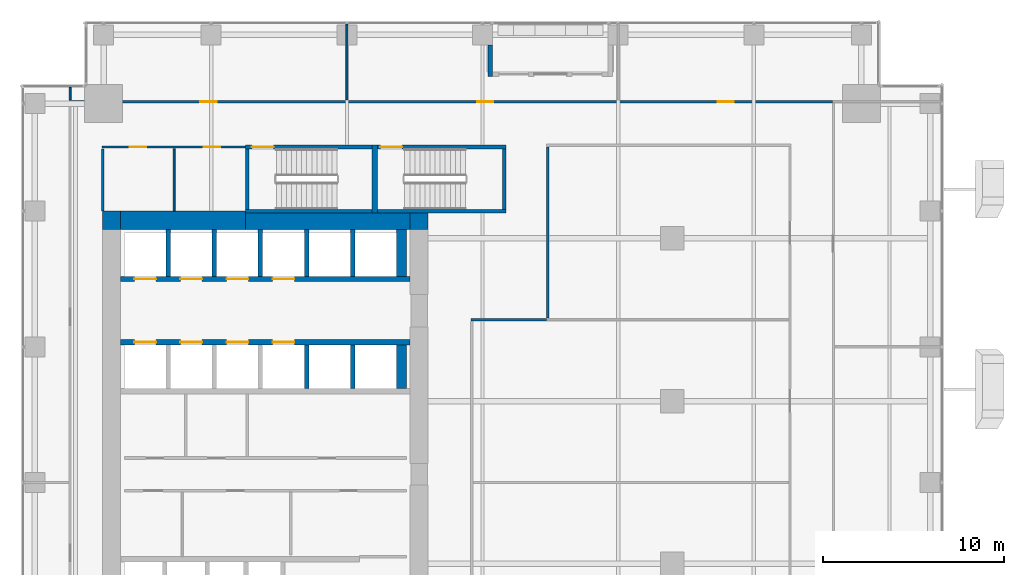
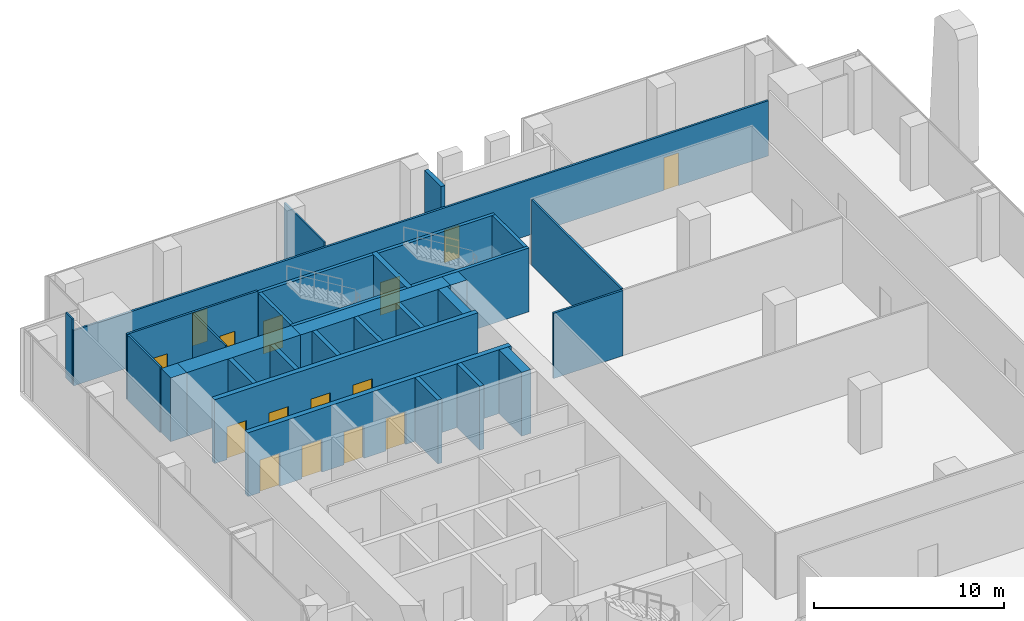
# One storey, part 30 of 35: 31 walls, 15 doors, 15 openings.
"""IFC4 building model written with IfcOpenShell, lengths in metres."""

from ifc_helpers import new_model, si_unit, direction, frame, frame_2d, origin, place, context, subcontext, project, spatial, rectangle, extrude, source, transform, mapped, material, layer, layer_set, type_object, element, fill, save


model = new_model("IFC4")

# Units and contexts
model_context = context("Model", 3, precision=1e-05, world=origin(), true_north=direction((0.0, 1.0)))
body_context = subcontext(model_context, "Body", "Model", "MODEL_VIEW")
ifc_project = project(units=[si_unit("LENGTHUNIT", "METRE"), si_unit("AREAUNIT", "SQUARE_METRE"), si_unit("VOLUMEUNIT", "CUBIC_METRE"), si_unit("PLANEANGLEUNIT", "RADIAN"), si_unit("MASSUNIT", "GRAM", prefix="KILO")], contexts=[model_context])

# Site, building, storey
site_placement = place(None, origin())
site = spatial("IfcSite", under=ifc_project, at=site_placement, CompositionType="ELEMENT")
building_placement = place(site_placement, origin())
building = spatial("IfcBuilding", under=site, at=building_placement, Name="Khomas Fold Tower", CompositionType="ELEMENT")
storey_placement = place(building_placement, frame((0.0, 0.0, 119.10009765625)))
storey = spatial("IfcBuildingStorey", under=building, at=storey_placement, Name="L25", CompositionType="ELEMENT", Elevation=119.10009765625)

# Walls
ifc_material_1 = material(Name="Concrete C70/85", Category="concrete")
ifc_layer_1 = layer(ifc_material_1, 1.0)
ifc_layer_set_1 = layer_set([ifc_layer_1], Name="Concrete C70/85")
wall_type_1 = type_object("IfcWallType", Name="Core wall 1000", PredefinedType="SHEAR", material=ifc_layer_set_1)
shared_shape_1 = source(origin(), body_context, "Body", "SweptSolid", [
    extrude(rectangle(XDim=6.89990234375, YDim=1.0, at=frame_2d((3.449951171875, 0.0))), origin(), (0.0, 0.0, 1.0), 4.099853515625),
])
wall_1_placement = place(storey_placement, frame((7.0, 41.5, 0.0), z_axis=(0.0, 0.0, 1.0), x_axis=(1.0, 0.0, 0.0)))
element("IfcWall", 1, at=wall_1_placement, inside=storey, type_object=wall_type_1, Name="Core wall CW-L-N-L21", PredefinedType="SHEAR", context=body_context, shape_type="MappedRepresentation", body=[
    mapped(shared_shape_1, transform((0.0, 0.0, 0.0))),
])
ifc_material_2 = material(Name="Concrete C70/85", Category="concrete")
ifc_layer_2 = layer(ifc_material_2, 0.89990234375)
ifc_layer_set_2 = layer_set([ifc_layer_2], Name="Concrete C70/85")
wall_type_2 = type_object("IfcWallType", Name="Core wall 900", PredefinedType="SHEAR", material=ifc_layer_set_2)
shared_shape_2 = source(origin(), body_context, "Body", "SweptSolid", [
    extrude(rectangle(XDim=9.10009765625, YDim=0.89990234375, at=frame_2d((4.550048828125, 0.0))), origin(), (0.0, 0.0, 1.0), 4.099853515625),
])
wall_2_placement = place(storey_placement, frame((13.89990234375, 41.449951171875, 0.0), z_axis=(0.0, 0.0, 1.0), x_axis=(1.0, 0.0, 0.0)))
element("IfcWall", 2, at=wall_2_placement, inside=storey, type_object=wall_type_2, Name="Core wall CW-L-N-L21-1", PredefinedType="SHEAR", context=body_context, shape_type="MappedRepresentation", body=[
    mapped(shared_shape_2, transform((0.0, 0.0, 0.0))),
])
ifc_material_3 = material(Name="Concrete C70/85", Category="concrete")
ifc_layer_3 = layer(ifc_material_3, 0.89990234375)
ifc_layer_set_3 = layer_set([ifc_layer_3], Name="Concrete C70/85")
wall_type_3 = type_object("IfcWallType", Name="Core corner wall 900", PredefinedType="SHEAR", material=ifc_layer_set_3)
shared_shape_3 = source(origin(), body_context, "Body", "SweptSolid", [
    extrude(rectangle(XDim=1.0, YDim=0.89990234375, at=frame_2d((0.5, 0.0))), origin(), (0.0, 0.0, 1.0), 4.099853515625),
])
wall_3_placement = place(storey_placement, frame((23.0, 41.449951171875, 0.0), z_axis=(0.0, 0.0, 1.0), x_axis=(1.0, 0.0, 0.0)))
element("IfcWall", 3, at=wall_3_placement, inside=storey, type_object=wall_type_3, Name="Core wall CW-L-NE-L21", PredefinedType="SHEAR", context=body_context, shape_type="MappedRepresentation", body=[
    mapped(shared_shape_3, transform((0.0, 0.0, 0.0))),
])
ifc_material_4 = material(Name="Concrete C70/85", Category="concrete")
ifc_layer_4 = layer(ifc_material_4, 1.0)
ifc_layer_set_4 = layer_set([ifc_layer_4], Name="Concrete C70/85")
wall_type_4 = type_object("IfcWallType", Name="Core corner wall 1000", PredefinedType="SHEAR", material=ifc_layer_set_4)
shared_shape_4 = source(origin(), body_context, "Body", "SweptSolid", [
    extrude(rectangle(XDim=1.0, YDim=1.0, at=frame_2d((0.5, 0.0))), origin(), (0.0, 0.0, 1.0), 4.099853515625),
])
wall_4_placement = place(storey_placement, frame((6.0, 41.5, 0.0), z_axis=(0.0, 0.0, 1.0), x_axis=(1.0, 0.0, 0.0)))
element("IfcWall", 4, at=wall_4_placement, inside=storey, type_object=wall_type_4, Name="Core wall CW-L-NW-L21", PredefinedType="SHEAR", context=body_context, shape_type="MappedRepresentation", body=[
    mapped(shared_shape_4, transform((0.0, 0.0, 0.0))),
])

# Wall, opening, door
ifc_material_5 = material(Name="Concrete C50/60", Category="concrete")
ifc_layer_5 = layer(ifc_material_5, 0.199951171875)
ifc_layer_set_5 = layer_set([ifc_layer_5], Name="Concrete C50/60")
wall_type_5 = type_object("IfcWallType", Name="Stair wall 200", PredefinedType="SHEAR", material=ifc_layer_set_5)
shared_shape_5 = source(origin(), body_context, "Body", "SweptSolid", [
    extrude(rectangle(XDim=7.0, YDim=0.199951171875, at=frame_2d((3.5, 0.0))), origin(), (0.0, 0.0, 1.0), 4.099853515625),
])
wall_5_placement = place(storey_placement, frame((13.89990234375, 45.550048828125, 0.0), z_axis=(0.0, 0.0, 1.0), x_axis=(1.0, 0.0, 0.0)))
wall_5 = element("IfcWall", 5, at=wall_5_placement, inside=storey, type_object=wall_type_5, Name="Stair wall SW-ST1-N", PredefinedType="SHEAR", context=body_context, shape_type="MappedRepresentation", body=[
    mapped(shared_shape_5, transform((0.0, 0.0, 0.0))),
])
shared_shape_6 = source(origin(), body_context, "Body", "SweptSolid", [
    extrude(rectangle(XDim=1.199951171875, YDim=2.10009765625, at=frame_2d((0.60009765625, 1.050048828125))), frame((0.0, 0.10986328125, 0.0), z_axis=(0.0, -1.0, 0.0), x_axis=(1.0, 0.0, 0.0)), (0.0, 0.0, 1.0), 0.219970703125),
])
opening_1_placement = place(wall_5_placement, frame((0.35009765625, 0.0, 0.0)))
opening_1 = element("IfcOpeningElement", 6, at=opening_1_placement, cuts=wall_5, Name="Opening SD-ST1", PredefinedType="OPENING", context=body_context, shape_type="MappedRepresentation", body=[
    mapped(shared_shape_6, transform((0.0, 0.0, 0.0))),
])
ifc_material_6 = material(Name="Steel door leaf", Category="steel")
door_type_1 = type_object("IfcDoorType", Name="Stair door 1200x2100 left-hand", OperationType="SINGLE_SWING_LEFT", PredefinedType="DOOR", material=ifc_material_6)
shared_shape_7 = source(origin(), body_context, "Body", "SweptSolid", [
    extrude(rectangle(XDim=1.199951171875, YDim=2.10009765625, at=frame_2d((0.60009765625, 1.050048828125))), frame((0.0, 0.02490234375, 0.0), z_axis=(0.0, -1.0, 0.0), x_axis=(1.0, 0.0, 0.0)), (0.0, 0.0, 1.0), 0.050048828125),
])
door_1_placement = place(opening_1_placement, origin())
door_1 = element("IfcDoor", 7, at=door_1_placement, inside=storey, type_object=door_type_1, Name="Stair door", OperationType="SINGLE_SWING_LEFT", OverallHeight=2.10009765625, OverallWidth=1.199951171875, PredefinedType="DOOR", context=body_context, shape_type="MappedRepresentation", body=[
    mapped(shared_shape_7, transform((0.0, 0.0, 0.0))),
])
fill(opening_1, door_1)

# Wall
wall_6_placement = place(storey_placement, frame((13.89990234375, 42.0, 0.0), z_axis=(0.0, 0.0, 1.0), x_axis=(1.0, 0.0, 0.0)))
element("IfcWall", 8, at=wall_6_placement, inside=storey, type_object=wall_type_5, Name="Stair wall SW-ST1-S", PredefinedType="SHEAR", context=body_context, shape_type="MappedRepresentation", body=[
    mapped(shared_shape_5, transform((0.0, 0.0, 0.0))),
])

# Wall, opening, door
shared_shape_8 = source(origin(), body_context, "Body", "SweptSolid", [
    extrude(rectangle(XDim=7.10009765625, YDim=0.199951171875, at=frame_2d((3.550048828125, 0.0))), origin(), (0.0, 0.0, 1.0), 4.099853515625),
])
wall_7_placement = place(storey_placement, frame((21.199951171875, 45.550048828125, 0.0), z_axis=(0.0, 0.0, 1.0), x_axis=(1.0, 0.0, 0.0)))
wall_7 = element("IfcWall", 9, at=wall_7_placement, inside=storey, type_object=wall_type_5, Name="Stair wall SW-ST3-N", PredefinedType="SHEAR", context=body_context, shape_type="MappedRepresentation", body=[
    mapped(shared_shape_8, transform((0.0, 0.0, 0.0))),
])
opening_2_placement = place(wall_7_placement, frame((0.14990234375, 0.0, 0.0)))
opening_2 = element("IfcOpeningElement", 10, at=opening_2_placement, cuts=wall_7, Name="Opening SD-ST3", PredefinedType="OPENING", context=body_context, shape_type="MappedRepresentation", body=[
    mapped(shared_shape_6, transform((0.0, 0.0, 0.0))),
])
door_2_placement = place(opening_2_placement, origin())
door_2 = element("IfcDoor", 11, at=door_2_placement, inside=storey, type_object=door_type_1, Name="Stair door", OperationType="SINGLE_SWING_LEFT", OverallHeight=2.10009765625, OverallWidth=1.199951171875, PredefinedType="DOOR", context=body_context, shape_type="MappedRepresentation", body=[
    mapped(shared_shape_7, transform((0.0, 0.0, 0.0))),
])
fill(opening_2, door_2)

# Walls
wall_8_placement = place(storey_placement, frame((21.199951171875, 42.0, 0.0), z_axis=(0.0, 0.0, 1.0), x_axis=(1.0, 0.0, 0.0)))
element("IfcWall", 12, at=wall_8_placement, inside=storey, type_object=wall_type_5, Name="Stair wall SW-ST3-S", PredefinedType="SHEAR", context=body_context, shape_type="MappedRepresentation", body=[
    mapped(shared_shape_8, transform((0.0, 0.0, 0.0))),
])
ifc_material_7 = material(Name="Concrete C50/60", Category="concrete")
ifc_layer_6 = layer(ifc_material_7, 0.300048828125)
ifc_layer_set_6 = layer_set([ifc_layer_6], Name="Concrete C50/60")
wall_type_6 = type_object("IfcWallType", Name="Stair wall 300", PredefinedType="SHEAR", material=ifc_layer_set_6)
shared_shape_9 = source(origin(), body_context, "Body", "SweptSolid", [
    extrude(rectangle(XDim=3.75, YDim=0.300048828125, at=frame_2d((1.875, 0.0))), origin(), (0.0, 0.0, 1.0), 4.099853515625),
])
wall_9_placement = place(storey_placement, frame((21.050048828125, 41.89990234375, 0.0), z_axis=(0.0, 0.0, 1.0), x_axis=(0.0, 1.0, 0.0)))
element("IfcWall", 13, at=wall_9_placement, inside=storey, type_object=wall_type_6, Name="Stair wall SW-ST1-E", PredefinedType="SHEAR", context=body_context, shape_type="MappedRepresentation", body=[
    mapped(shared_shape_9, transform((0.0, 0.0, 0.0))),
])
shared_shape_10 = source(origin(), body_context, "Body", "SweptSolid", [
    extrude(rectangle(XDim=3.349853515625, YDim=0.199951171875, at=frame_2d((1.6748046875, 0.0))), origin(), (0.0, 0.0, 1.0), 4.099853515625),
])
for number, where, z_axis, x_axis, name in (
    (14, (14.0, 42.10009765625, 0.0), (0.0, 0.0, 1.0), (0.0, 1.0, 0.0), "Stair wall SW-ST1-W"),
    (15, (28.199951171875, 42.10009765625, 0.0), (0.0, 0.0, 1.0), (0.0, 1.0, 0.0), "Stair wall SW-ST3-E"),
):
    element("IfcWall", number, at=place(storey_placement, frame(where, z_axis=z_axis, x_axis=x_axis)), inside=storey, type_object=wall_type_5, Name=name, PredefinedType="SHEAR", context=body_context, shape_type="MappedRepresentation", body=[
        mapped(shared_shape_10, transform((0.0, 0.0, 0.0))),
    ])

# Wall, openings, doors
ifc_material_8 = material(Name="Concrete C50/60", Category="concrete")
ifc_layer_7 = layer(ifc_material_8, 0.300048828125)
ifc_layer_set_7 = layer_set([ifc_layer_7], Name="Concrete C50/60")
wall_type_7 = type_object("IfcWallType", Name="Shaft wall 300", PredefinedType="STANDARD", material=ifc_layer_set_7)
shared_shape_11 = source(origin(), body_context, "Body", "SweptSolid", [
    extrude(rectangle(XDim=16.0, YDim=0.300048828125, at=frame_2d((8.0, 0.0))), origin(), (0.0, 0.0, 1.0), 4.099853515625),
])
wall_10_placement = place(storey_placement, frame((7.0, 38.25, 0.0), z_axis=(0.0, 0.0, 1.0), x_axis=(1.0, 0.0, 0.0)))
wall_10 = element("IfcWall", 16, at=wall_10_placement, inside=storey, type_object=wall_type_7, Name="Core wall SW-LRN-F", PredefinedType="STANDARD", context=body_context, shape_type="MappedRepresentation", body=[
    mapped(shared_shape_11, transform((0.0, 0.0, 0.0))),
])
shared_shape_12 = source(origin(), body_context, "Body", "SweptSolid", [
    extrude(rectangle(XDim=1.199951171875, YDim=2.10009765625, at=frame_2d((0.60009765625, 1.050048828125))), frame((0.0, 0.159912109375, 0.0), z_axis=(0.0, -1.0, 0.0), x_axis=(1.0, 0.0, 0.0)), (0.0, 0.0, 1.0), 0.320068359375),
])
opening_3_placement = place(wall_10_placement, frame((0.75, 0.0, 0.0)))
opening_3 = element("IfcOpeningElement", 17, at=opening_3_placement, cuts=wall_10, Name="Opening LD-LR5", PredefinedType="OPENING", context=body_context, shape_type="MappedRepresentation", body=[
    mapped(shared_shape_12, transform((0.0, 0.0, 0.0))),
])
opening_4_placement = place(wall_10_placement, frame((3.300048828125, 0.0, 0.0)))
opening_4 = element("IfcOpeningElement", 18, at=opening_4_placement, cuts=wall_10, Name="Opening LD-LR6", PredefinedType="OPENING", context=body_context, shape_type="MappedRepresentation", body=[
    mapped(shared_shape_12, transform((0.0, 0.0, 0.0))),
])
opening_5_placement = place(wall_10_placement, frame((5.85009765625, 0.0, 0.0)))
opening_5 = element("IfcOpeningElement", 19, at=opening_5_placement, cuts=wall_10, Name="Opening LD-LR7", PredefinedType="OPENING", context=body_context, shape_type="MappedRepresentation", body=[
    mapped(shared_shape_12, transform((0.0, 0.0, 0.0))),
])
opening_6_placement = place(wall_10_placement, frame((8.39990234375, 0.0, 0.0)))
opening_6 = element("IfcOpeningElement", 20, at=opening_6_placement, cuts=wall_10, Name="Opening LD-LR8", PredefinedType="OPENING", context=body_context, shape_type="MappedRepresentation", body=[
    mapped(shared_shape_12, transform((0.0, 0.0, 0.0))),
])
ifc_material_9 = material(Name="Steel door leaf", Category="steel")
door_type_2 = type_object("IfcDoorType", Name="Landing door 1200x2100", OperationType="DOUBLE_DOOR_SLIDING", PredefinedType="DOOR", material=ifc_material_9)
door_3_placement = place(opening_3_placement, origin())
door_3 = element("IfcDoor", 21, at=door_3_placement, inside=storey, type_object=door_type_2, Name="Lift landing door", OperationType="DOUBLE_DOOR_SLIDING", OverallHeight=2.10009765625, OverallWidth=1.199951171875, PredefinedType="DOOR", context=body_context, shape_type="MappedRepresentation", body=[
    mapped(shared_shape_7, transform((0.0, 0.0, 0.0))),
])
fill(opening_3, door_3)
door_4_placement = place(opening_4_placement, origin())
door_4 = element("IfcDoor", 22, at=door_4_placement, inside=storey, type_object=door_type_2, Name="Lift landing door", OperationType="DOUBLE_DOOR_SLIDING", OverallHeight=2.10009765625, OverallWidth=1.199951171875, PredefinedType="DOOR", context=body_context, shape_type="MappedRepresentation", body=[
    mapped(shared_shape_7, transform((0.0, 0.0, 0.0))),
])
fill(opening_4, door_4)
door_5_placement = place(opening_5_placement, origin())
door_5 = element("IfcDoor", 23, at=door_5_placement, inside=storey, type_object=door_type_2, Name="Lift landing door", OperationType="DOUBLE_DOOR_SLIDING", OverallHeight=2.10009765625, OverallWidth=1.199951171875, PredefinedType="DOOR", context=body_context, shape_type="MappedRepresentation", body=[
    mapped(shared_shape_7, transform((0.0, 0.0, 0.0))),
])
fill(opening_5, door_5)
door_6_placement = place(opening_6_placement, origin())
door_6 = element("IfcDoor", 24, at=door_6_placement, inside=storey, type_object=door_type_2, Name="Lift landing door", OperationType="DOUBLE_DOOR_SLIDING", OverallHeight=2.10009765625, OverallWidth=1.199951171875, PredefinedType="DOOR", context=body_context, shape_type="MappedRepresentation", body=[
    mapped(shared_shape_7, transform((0.0, 0.0, 0.0))),
])
fill(opening_6, door_6)

wall_11_placement = place(storey_placement, frame((7.0, 34.75, 0.0), z_axis=(0.0, 0.0, 1.0), x_axis=(1.0, 0.0, 0.0)))
wall_11 = element("IfcWall", 25, at=wall_11_placement, inside=storey, type_object=wall_type_7, Name="Core wall SW-LRS-F", PredefinedType="STANDARD", context=body_context, shape_type="MappedRepresentation", body=[
    mapped(shared_shape_11, transform((0.0, 0.0, 0.0))),
])
opening_7_placement = place(wall_11_placement, frame((0.75, 0.0, 0.0)))
opening_7 = element("IfcOpeningElement", 26, at=opening_7_placement, cuts=wall_11, Name="Opening LD-LR1", PredefinedType="OPENING", context=body_context, shape_type="MappedRepresentation", body=[
    mapped(shared_shape_12, transform((0.0, 0.0, 0.0))),
])
opening_8_placement = place(wall_11_placement, frame((3.300048828125, 0.0, 0.0)))
opening_8 = element("IfcOpeningElement", 27, at=opening_8_placement, cuts=wall_11, Name="Opening LD-LR2", PredefinedType="OPENING", context=body_context, shape_type="MappedRepresentation", body=[
    mapped(shared_shape_12, transform((0.0, 0.0, 0.0))),
])
opening_9_placement = place(wall_11_placement, frame((5.85009765625, 0.0, 0.0)))
opening_9 = element("IfcOpeningElement", 28, at=opening_9_placement, cuts=wall_11, Name="Opening LD-LR3", PredefinedType="OPENING", context=body_context, shape_type="MappedRepresentation", body=[
    mapped(shared_shape_12, transform((0.0, 0.0, 0.0))),
])
opening_10_placement = place(wall_11_placement, frame((8.39990234375, 0.0, 0.0)))
opening_10 = element("IfcOpeningElement", 29, at=opening_10_placement, cuts=wall_11, Name="Opening LD-LR4", PredefinedType="OPENING", context=body_context, shape_type="MappedRepresentation", body=[
    mapped(shared_shape_12, transform((0.0, 0.0, 0.0))),
])
door_7_placement = place(opening_7_placement, origin())
door_7 = element("IfcDoor", 30, at=door_7_placement, inside=storey, type_object=door_type_2, Name="Lift landing door", OperationType="DOUBLE_DOOR_SLIDING", OverallHeight=2.10009765625, OverallWidth=1.199951171875, PredefinedType="DOOR", context=body_context, shape_type="MappedRepresentation", body=[
    mapped(shared_shape_7, transform((0.0, 0.0, 0.0))),
])
fill(opening_7, door_7)
door_8_placement = place(opening_8_placement, origin())
door_8 = element("IfcDoor", 31, at=door_8_placement, inside=storey, type_object=door_type_2, Name="Lift landing door", OperationType="DOUBLE_DOOR_SLIDING", OverallHeight=2.10009765625, OverallWidth=1.199951171875, PredefinedType="DOOR", context=body_context, shape_type="MappedRepresentation", body=[
    mapped(shared_shape_7, transform((0.0, 0.0, 0.0))),
])
fill(opening_8, door_8)
door_9_placement = place(opening_9_placement, origin())
door_9 = element("IfcDoor", 32, at=door_9_placement, inside=storey, type_object=door_type_2, Name="Lift landing door", OperationType="DOUBLE_DOOR_SLIDING", OverallHeight=2.10009765625, OverallWidth=1.199951171875, PredefinedType="DOOR", context=body_context, shape_type="MappedRepresentation", body=[
    mapped(shared_shape_7, transform((0.0, 0.0, 0.0))),
])
fill(opening_9, door_9)
door_10_placement = place(opening_10_placement, origin())
door_10 = element("IfcDoor", 33, at=door_10_placement, inside=storey, type_object=door_type_2, Name="Lift landing door", OperationType="DOUBLE_DOOR_SLIDING", OverallHeight=2.10009765625, OverallWidth=1.199951171875, PredefinedType="DOOR", context=body_context, shape_type="MappedRepresentation", body=[
    mapped(shared_shape_7, transform((0.0, 0.0, 0.0))),
])
fill(opening_10, door_10)

# Walls
ifc_material_10 = material(Name="Concrete C50/60", Category="concrete")
ifc_layer_8 = layer(ifc_material_10, 0.25)
ifc_layer_set_8 = layer_set([ifc_layer_8], Name="Concrete C50/60")
wall_type_8 = type_object("IfcWallType", Name="Shaft wall 250", PredefinedType="STANDARD", material=ifc_layer_set_8)
shared_shape_13 = source(origin(), body_context, "Body", "SweptSolid", [
    extrude(rectangle(XDim=2.60009765625, YDim=0.25, at=frame_2d((1.300048828125, 0.0))), origin(), (0.0, 0.0, 1.0), 4.099853515625),
])
for number, where, z_axis, x_axis, name in (
    (34, (9.625, 38.39990234375, 0.0), (0.0, 0.0, 1.0), (0.0, 1.0, 0.0), "Core wall SW-LRN-P1"),
    (35, (12.175048828125, 38.39990234375, 0.0), (0.0, 0.0, 1.0), (0.0, 1.0, 0.0), "Core wall SW-LRN-P2"),
    (36, (14.72509765625, 38.39990234375, 0.0), (0.0, 0.0, 1.0), (0.0, 1.0, 0.0), "Core wall SW-LRN-P3"),
    (37, (17.27490234375, 38.39990234375, 0.0), (0.0, 0.0, 1.0), (0.0, 1.0, 0.0), "Core wall SW-LRN-P4"),
    (38, (19.824951171875, 38.39990234375, 0.0), (0.0, 0.0, 1.0), (0.0, 1.0, 0.0), "Core wall SW-LRN-P5"),
):
    element("IfcWall", number, at=place(storey_placement, frame(where, z_axis=z_axis, x_axis=x_axis)), inside=storey, type_object=wall_type_8, Name=name, PredefinedType="STANDARD", context=body_context, shape_type="MappedRepresentation", body=[
        mapped(shared_shape_13, transform((0.0, 0.0, 0.0))),
    ])
ifc_material_11 = material(Name="Concrete C50/60", Category="concrete")
ifc_layer_9 = layer(ifc_material_11, 0.550048828125)
ifc_layer_set_9 = layer_set([ifc_layer_9], Name="Concrete C50/60")
wall_type_9 = type_object("IfcWallType", Name="Shaft wall 550", PredefinedType="STANDARD", material=ifc_layer_set_9)
shared_shape_14 = source(origin(), body_context, "Body", "SweptSolid", [
    extrude(rectangle(XDim=2.60009765625, YDim=0.550048828125, at=frame_2d((1.300048828125, 0.0))), origin(), (0.0, 0.0, 1.0), 4.099853515625),
])
wall_12_placement = place(storey_placement, frame((22.52490234375, 38.39990234375, 0.0), z_axis=(0.0, 0.0, 1.0), x_axis=(0.0, 1.0, 0.0)))
element("IfcWall", 39, at=wall_12_placement, inside=storey, type_object=wall_type_9, Name="Core wall SW-LRN-PE", PredefinedType="STANDARD", context=body_context, shape_type="MappedRepresentation", body=[
    mapped(shared_shape_14, transform((0.0, 0.0, 0.0))),
])
shared_shape_15 = source(origin(), body_context, "Body", "SweptSolid", [
    extrude(rectangle(XDim=2.400146484375, YDim=0.25, at=frame_2d((1.2001953125, 0.0))), origin(), (0.0, 0.0, 1.0), 4.099853515625),
])
for number, where, z_axis, x_axis, name in (
    (40, (17.27490234375, 32.199951171875, 0.0), (0.0, 0.0, 1.0), (0.0, 1.0, 0.0), "Core wall SW-LRS-P4"),
    (41, (19.824951171875, 32.199951171875, 0.0), (0.0, 0.0, 1.0), (0.0, 1.0, 0.0), "Core wall SW-LRS-P5"),
):
    element("IfcWall", number, at=place(storey_placement, frame(where, z_axis=z_axis, x_axis=x_axis)), inside=storey, type_object=wall_type_8, Name=name, PredefinedType="STANDARD", context=body_context, shape_type="MappedRepresentation", body=[
        mapped(shared_shape_15, transform((0.0, 0.0, 0.0))),
    ])
shared_shape_16 = source(origin(), body_context, "Body", "SweptSolid", [
    extrude(rectangle(XDim=2.400146484375, YDim=0.550048828125, at=frame_2d((1.2001953125, 0.0))), origin(), (0.0, 0.0, 1.0), 4.099853515625),
])
wall_13_placement = place(storey_placement, frame((22.52490234375, 32.199951171875, 0.0), z_axis=(0.0, 0.0, 1.0), x_axis=(0.0, 1.0, 0.0)))
element("IfcWall", 42, at=wall_13_placement, inside=storey, type_object=wall_type_9, Name="Core wall SW-LRS-PE", PredefinedType="STANDARD", context=body_context, shape_type="MappedRepresentation", body=[
    mapped(shared_shape_16, transform((0.0, 0.0, 0.0))),
])
ifc_material_12 = material(Name="Natural stone", Category="masonry")
ifc_layer_10 = layer(ifc_material_12, 0.0400390625)
ifc_material_13 = material(Name="Mineral wool insulation", Category="insulation")
ifc_layer_11 = layer(ifc_material_13, 0.10009765625)
ifc_material_14 = material(Name="Masonry", Category="masonry")
ifc_layer_12 = layer(ifc_material_14, 0.110107421875)
ifc_layer_set_10 = layer_set([ifc_layer_10, ifc_layer_11, ifc_layer_12], Name="Stone-faced insulated masonry")
wall_type_10 = type_object("IfcWallType", Name="BL-Balcony wall", PredefinedType="SOLIDWALL", material=ifc_layer_set_10)
shared_shape_17 = source(origin(), body_context, "Body", "SweptSolid", [
    extrude(rectangle(XDim=1.75, YDim=0.25, at=frame_2d((0.875, 0.0))), origin(), (0.0, 0.0, 1.0), 3.7998046875),
])
wall_14_placement = place(storey_placement, frame((27.425048828125, 51.199951171875, 0.0), z_axis=(0.0, 0.0, 1.0), x_axis=(0.0, -1.0, 0.0)))
element("IfcWall", 43, at=wall_14_placement, inside=storey, type_object=wall_type_10, Name="Balcony return wall BAL-L25-N3-lo", PredefinedType="SOLIDWALL", context=body_context, shape_type="MappedRepresentation", body=[
    mapped(shared_shape_17, transform((0.0, 0.0, 0.0))),
])

# Wall, openings, doors
ifc_material_15 = material(Name="Plasterboard partition")
ifc_layer_13 = layer(ifc_material_15, 0.125)
ifc_layer_set_11 = layer_set([ifc_layer_13], Name="Plasterboard partition")
wall_type_11 = type_object("IfcWallType", Name="Partition PW2 125", PredefinedType="PARTITIONING", material=ifc_layer_set_11)
shared_shape_18 = source(origin(), body_context, "Body", "SweptSolid", [
    extrude(rectangle(XDim=7.949951171875, YDim=0.125, at=frame_2d((3.97509765625, 0.0))), origin(), (0.0, 0.0, 1.0), 4.199951171875),
])
wall_15_placement = place(storey_placement, frame((5.949951171875, 45.550048828125, 0.0), z_axis=(0.0, 0.0, 1.0), x_axis=(1.0, 0.0, 0.0)))
wall_15 = element("IfcWall", 44, at=wall_15_placement, inside=storey, type_object=wall_type_11, Name="Partition", PredefinedType="PARTITIONING", context=body_context, shape_type="MappedRepresentation", body=[
    mapped(shared_shape_18, transform((0.0, 0.0, 0.0))),
])
shared_shape_19 = source(origin(), body_context, "Body", "SweptSolid", [
    extrude(rectangle(XDim=0.89990234375, YDim=2.10009765625, at=frame_2d((0.449951171875, 1.050048828125))), frame((0.0, 0.072509765625, 0.0), z_axis=(0.0, -1.0, 0.0), x_axis=(1.0, 0.0, 0.0)), (0.0, 0.0, 1.0), 0.14501953125),
])
opening_11_placement = place(wall_15_placement, frame((1.550048828125, 0.0, 0.0)))
opening_11 = element("IfcOpeningElement", 45, at=opening_11_placement, cuts=wall_15, Name="Opening 0005", PredefinedType="OPENING", context=body_context, shape_type="MappedRepresentation", body=[
    mapped(shared_shape_19, transform((0.0, 0.0, 0.0))),
])
opening_12_placement = place(wall_15_placement, frame((5.64990234375, 0.0, 0.0)))
opening_12 = element("IfcOpeningElement", 46, at=opening_12_placement, cuts=wall_15, Name="Opening 0004", PredefinedType="OPENING", context=body_context, shape_type="MappedRepresentation", body=[
    mapped(shared_shape_19, transform((0.0, 0.0, 0.0))),
])
ifc_material_16 = material(Name="Timber door leaf", Category="wood")
door_type_3 = type_object("IfcDoorType", Name="WC door 900x2100 left-hand", OperationType="SINGLE_SWING_LEFT", PredefinedType="DOOR", material=ifc_material_16)
shared_shape_20 = source(origin(), body_context, "Body", "SweptSolid", [
    extrude(rectangle(XDim=0.89990234375, YDim=2.10009765625, at=frame_2d((0.449951171875, 1.050048828125))), frame((0.0, 0.02490234375, 0.0), z_axis=(0.0, -1.0, 0.0), x_axis=(1.0, 0.0, 0.0)), (0.0, 0.0, 1.0), 0.050048828125),
])
door_11_placement = place(opening_11_placement, origin())
door_11 = element("IfcDoor", 47, at=door_11_placement, inside=storey, type_object=door_type_3, Name="WC door", OperationType="SINGLE_SWING_LEFT", OverallHeight=2.10009765625, OverallWidth=0.89990234375, PredefinedType="DOOR", context=body_context, shape_type="MappedRepresentation", body=[
    mapped(shared_shape_20, transform((0.0, 0.0, 0.0))),
])
fill(opening_11, door_11)
ifc_material_17 = material(Name="Timber door leaf", Category="wood")
door_type_4 = type_object("IfcDoorType", Name="WC door 900x2100 right-hand", OperationType="SINGLE_SWING_RIGHT", PredefinedType="DOOR", material=ifc_material_17)
door_12_placement = place(opening_12_placement, origin())
door_12 = element("IfcDoor", 48, at=door_12_placement, inside=storey, type_object=door_type_4, Name="WC door", OperationType="SINGLE_SWING_RIGHT", OverallHeight=2.10009765625, OverallWidth=0.89990234375, PredefinedType="DOOR", context=body_context, shape_type="MappedRepresentation", body=[
    mapped(shared_shape_20, transform((0.0, 0.0, 0.0))),
])
fill(opening_12, door_12)

# Walls
shared_shape_21 = source(origin(), body_context, "Body", "SweptSolid", [
    extrude(rectangle(XDim=4.199951171875, YDim=0.125, at=frame_2d((2.10009765625, 0.0))), origin(), (0.0, 0.0, 1.0), 4.199951171875),
])
wall_16_placement = place(storey_placement, frame((26.35009765625, 36.0, 0.0), z_axis=(0.0, 0.0, 1.0), x_axis=(1.0, 0.0, 0.0)))
element("IfcWall", 49, at=wall_16_placement, inside=storey, type_object=wall_type_11, Name="Partition", PredefinedType="PARTITIONING", context=body_context, shape_type="MappedRepresentation", body=[
    mapped(shared_shape_21, transform((0.0, 0.0, 0.0))),
])
shared_shape_22 = source(origin(), body_context, "Body", "SweptSolid", [
    extrude(rectangle(XDim=9.449951171875, YDim=0.125, at=frame_2d((4.72509765625, 0.0))), origin(), (0.0, 0.0, 1.0), 4.199951171875),
])
wall_17_placement = place(storey_placement, frame((30.60009765625, 36.10009765625, 0.0), z_axis=(0.0, 0.0, 1.0), x_axis=(0.0, 1.0, 0.0)))
element("IfcWall", 50, at=wall_17_placement, inside=storey, type_object=wall_type_11, Name="Partition", PredefinedType="PARTITIONING", context=body_context, shape_type="MappedRepresentation", body=[
    mapped(shared_shape_22, transform((0.0, 0.0, 0.0))),
])
shared_shape_23 = source(origin(), body_context, "Body", "SweptSolid", [
    extrude(rectangle(XDim=3.449951171875, YDim=0.125, at=frame_2d((1.72509765625, 0.0))), origin(), (0.0, 0.0, 1.0), 4.199951171875),
])
wall_18_placement = place(storey_placement, frame((6.0, 42.0, 0.0), z_axis=(0.0, 0.0, 1.0), x_axis=(0.0, 1.0, 0.0)))
element("IfcWall", 51, at=wall_18_placement, inside=storey, type_object=wall_type_11, Name="Partition", PredefinedType="PARTITIONING", context=body_context, shape_type="MappedRepresentation", body=[
    mapped(shared_shape_23, transform((0.0, 0.0, 0.0))),
])
ifc_material_18 = material(Name="Plasterboard partition")
ifc_layer_14 = layer(ifc_material_18, 0.10009765625)
ifc_layer_set_12 = layer_set([ifc_layer_14], Name="Plasterboard partition")
wall_type_12 = type_object("IfcWallType", Name="Partition PW1 100", PredefinedType="PARTITIONING", material=ifc_layer_set_12)
shared_shape_24 = source(origin(), body_context, "Body", "SweptSolid", [
    extrude(rectangle(XDim=3.449951171875, YDim=0.10009765625, at=frame_2d((1.72509765625, 0.0))), origin(), (0.0, 0.0, 1.0), 4.199951171875),
])
wall_19_placement = place(storey_placement, frame((9.949951171875, 42.0, 0.0), z_axis=(0.0, 0.0, 1.0), x_axis=(0.0, 1.0, 0.0)))
element("IfcWall", 52, at=wall_19_placement, inside=storey, type_object=wall_type_12, Name="Partition", PredefinedType="PARTITIONING", context=body_context, shape_type="MappedRepresentation", body=[
    mapped(shared_shape_24, transform((0.0, 0.0, 0.0))),
])
shared_shape_25 = source(origin(), body_context, "Body", "SweptSolid", [
    extrude(rectangle(XDim=0.7001953125, YDim=0.10009765625, at=frame_2d((0.35009765625, 0.0))), origin(), (0.0, 0.0, 1.0), 4.199951171875),
])
wall_20_placement = place(storey_placement, frame((4.199951171875, 48.14990234375, 0.0), z_axis=(0.0, 0.0, 1.0), x_axis=(0.0, 1.0, 0.0)))
element("IfcWall", 53, at=wall_20_placement, inside=storey, type_object=wall_type_12, Name="Partition", PredefinedType="PARTITIONING", context=body_context, shape_type="MappedRepresentation", body=[
    mapped(shared_shape_25, transform((0.0, 0.0, 0.0))),
])
shared_shape_26 = source(origin(), body_context, "Body", "SweptSolid", [
    extrude(rectangle(XDim=4.2001953125, YDim=0.10009765625, at=frame_2d((2.10009765625, 0.0))), origin(), (0.0, 0.0, 1.0), 3.77001953125),
])
wall_21_placement = place(storey_placement, frame((19.5, 48.14990234375, 0.0), z_axis=(0.0, 0.0, 1.0), x_axis=(0.0, 1.0, 0.0)))
element("IfcWall", 54, at=wall_21_placement, inside=storey, type_object=wall_type_12, Name="Partition", PredefinedType="PARTITIONING", context=body_context, shape_type="MappedRepresentation", body=[
    mapped(shared_shape_26, transform((0.0, 0.0, 0.0))),
])

# Wall, openings, doors
shared_shape_27 = source(origin(), body_context, "Body", "SweptSolid", [
    extrude(rectangle(XDim=42.2001953125, YDim=0.125, at=frame_2d((21.10009765625, 0.0))), origin(), (0.0, 0.0, 1.0), 3.5498046875),
])
wall_22_placement = place(storey_placement, frame((4.14990234375, 48.050048828125, 0.0), z_axis=(0.0, 0.0, 1.0), x_axis=(1.0, 0.0, 0.0)))
wall_22 = element("IfcWall", 55, at=wall_22_placement, inside=storey, type_object=wall_type_11, Name="Partition", PredefinedType="PARTITIONING", context=body_context, shape_type="MappedRepresentation", body=[
    mapped(shared_shape_27, transform((0.0, 0.0, 0.0))),
])
opening_13_placement = place(wall_22_placement, frame((7.25, 0.0, 0.0)))
opening_13 = element("IfcOpeningElement", 56, at=opening_13_placement, cuts=wall_22, Name="Opening 0007", PredefinedType="OPENING", context=body_context, shape_type="MappedRepresentation", body=[
    mapped(shared_shape_19, transform((0.0, 0.0, 0.0))),
])
opening_14_placement = place(wall_22_placement, frame((22.550048828125, 0.0, 0.0)))
opening_14 = element("IfcOpeningElement", 57, at=opening_14_placement, cuts=wall_22, Name="Opening 0007", PredefinedType="OPENING", context=body_context, shape_type="MappedRepresentation", body=[
    mapped(shared_shape_19, transform((0.0, 0.0, 0.0))),
])
opening_15_placement = place(wall_22_placement, frame((35.85009765625, 0.0, 0.0)))
opening_15 = element("IfcOpeningElement", 58, at=opening_15_placement, cuts=wall_22, Name="Opening 0007", PredefinedType="OPENING", context=body_context, shape_type="MappedRepresentation", body=[
    mapped(shared_shape_19, transform((0.0, 0.0, 0.0))),
])
ifc_material_19 = material(Name="Timber door leaf", Category="wood")
door_type_5 = type_object("IfcDoorType", Name="Door 900x2100 left-hand", OperationType="SINGLE_SWING_LEFT", PredefinedType="DOOR", material=ifc_material_19)
door_13_placement = place(opening_13_placement, origin())
door_13 = element("IfcDoor", 59, at=door_13_placement, inside=storey, type_object=door_type_5, Name="Door", OperationType="SINGLE_SWING_LEFT", OverallHeight=2.10009765625, OverallWidth=0.89990234375, PredefinedType="DOOR", context=body_context, shape_type="MappedRepresentation", body=[
    mapped(shared_shape_20, transform((0.0, 0.0, 0.0))),
])
fill(opening_13, door_13)
door_14_placement = place(opening_14_placement, origin())
door_14 = element("IfcDoor", 60, at=door_14_placement, inside=storey, type_object=door_type_5, Name="Door", OperationType="SINGLE_SWING_LEFT", OverallHeight=2.10009765625, OverallWidth=0.89990234375, PredefinedType="DOOR", context=body_context, shape_type="MappedRepresentation", body=[
    mapped(shared_shape_20, transform((0.0, 0.0, 0.0))),
])
fill(opening_14, door_14)
door_15_placement = place(opening_15_placement, origin())
door_15 = element("IfcDoor", 61, at=door_15_placement, inside=storey, type_object=door_type_5, Name="Door", OperationType="SINGLE_SWING_LEFT", OverallHeight=2.10009765625, OverallWidth=0.89990234375, PredefinedType="DOOR", context=body_context, shape_type="MappedRepresentation", body=[
    mapped(shared_shape_20, transform((0.0, 0.0, 0.0))),
])
fill(opening_15, door_15)

save(model, "model.ifc")
